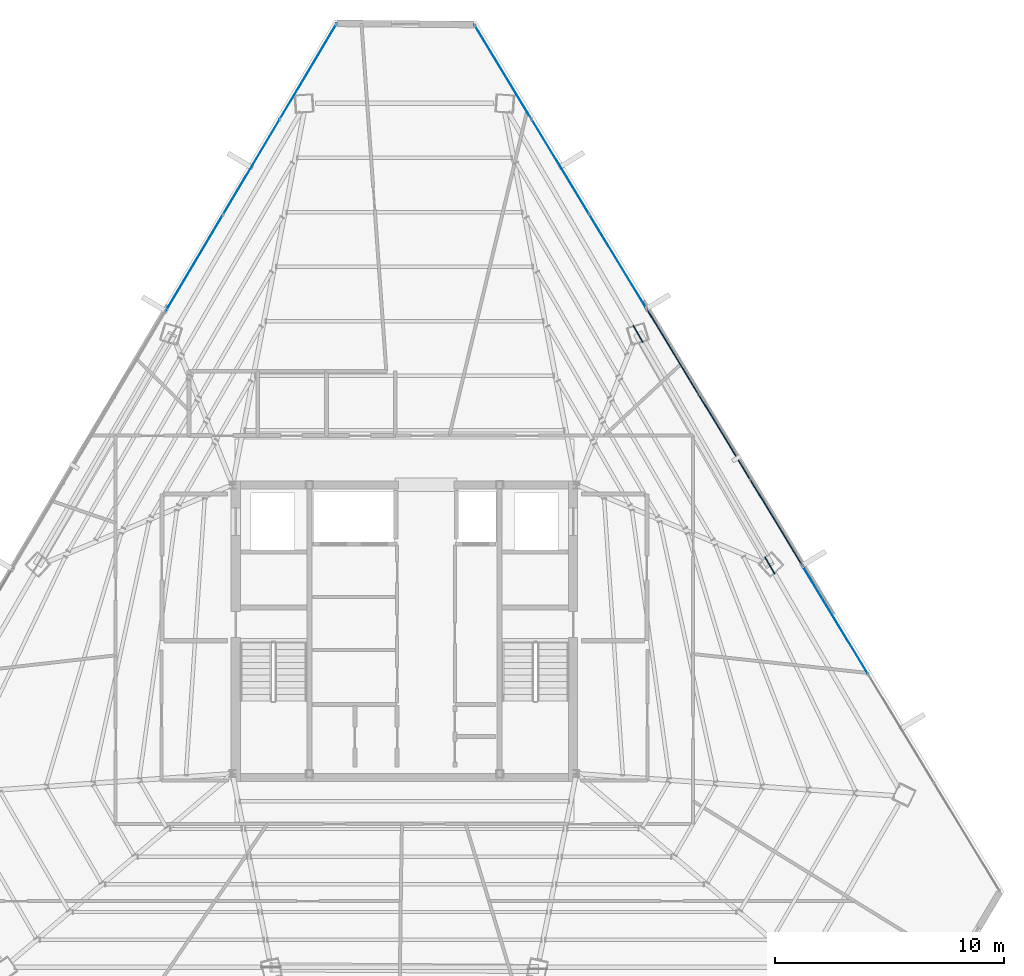
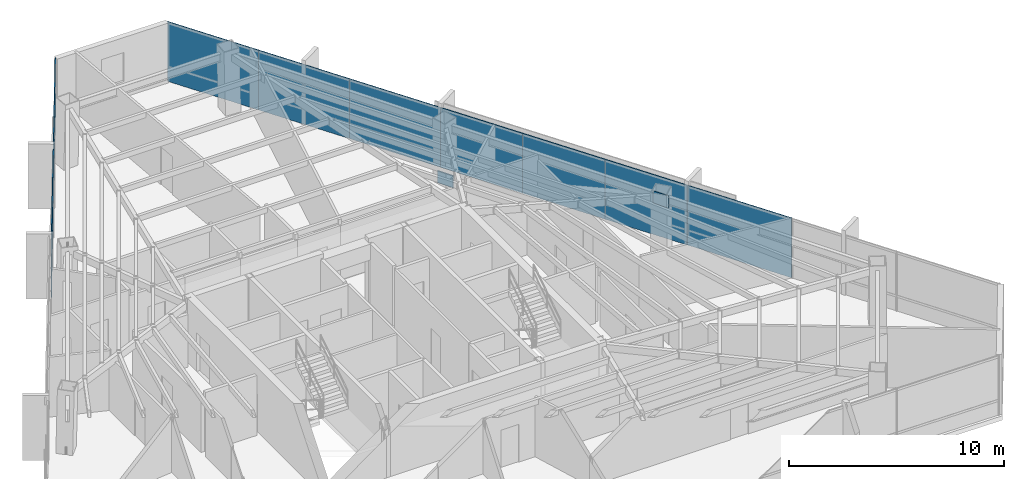
# One storey, part 39 of 49: 12 plates, 4 elements without a shape of their own.
"""IFC4 building model written with IfcOpenShell, lengths in metres."""

from ifc_helpers import new_model, si_unit, direction, frame, origin, origin_2d, place, context, subcontext, project, spatial, rectangle, extrude, source, transform, mapped, material, layer, layer_set, type_object, type_shapes, element, aggregate, save


model = new_model("IFC4")

# Units and contexts
model_context = context("Model", 3, precision=1e-05, world=origin(), true_north=direction((0.0, 1.0)))
body_context = subcontext(model_context, "Body", "Model", "MODEL_VIEW")
ifc_project = project(units=[si_unit("LENGTHUNIT", "METRE"), si_unit("AREAUNIT", "SQUARE_METRE"), si_unit("VOLUMEUNIT", "CUBIC_METRE"), si_unit("PLANEANGLEUNIT", "RADIAN"), si_unit("MASSUNIT", "GRAM", prefix="KILO")], contexts=[model_context])

# Site, building, storey
site_placement = place(None, origin())
site = spatial("IfcSite", under=ifc_project, at=site_placement, CompositionType="ELEMENT")
building_placement = place(site_placement, origin())
building = spatial("IfcBuilding", under=site, at=building_placement, Name="Caelisora Broadcast Tower", CompositionType="ELEMENT")
storey_placement = place(building_placement, frame((0.0, 0.0, 233.5)))
storey = spatial("IfcBuildingStorey", under=building, at=storey_placement, Name="L61", CompositionType="ELEMENT", Elevation=233.5)

# Plates
ifc_material_1 = material(Name="Steel Grade 350 L15 (AS/NZS 3678)", Category="steel")
ifc_layer_1 = layer(ifc_material_1, 0.0400390625, Name="Steel Grade 350 L15 (AS/NZS 3678)")
ifc_layer_set_1 = layer_set([ifc_layer_1], Name="Steel Grade 350 L15 (AS/NZS 3678)")
plate_type_1 = type_object("IfcPlateType", Name="GP04", PredefinedType="USERDEFINED", material=ifc_layer_set_1)
shared_shape_1 = source(origin(), body_context, "Body", "SweptSolid", [
    extrude(rectangle(XDim=0.85009765625, YDim=0.0400390625, at=origin_2d()), origin(), (0.0, 0.0, 1.0), 0.699951171875),
])
type_shapes(plate_type_1, [shared_shape_1])
for number, where, z_axis, x_axis, name in (
    (1, (53.942138671875, 26.486083984375, 2.72998046875), (0.0, 0.0, 1.0), (-0.5, 0.866025403784, 0.0), "L61 gusset plate GP04 (ND-L61-C10T)"),
    (2, (48.19482421875, 36.585205078125, -0.22998046875), (0.0, 0.0, 1.0), (-0.5, 0.866025403784, 0.0), "L61 gusset plate GP04 (ND-L61-C11B)"),
):
    element("IfcPlate", number, at=place(storey_placement, frame(where, z_axis=z_axis, x_axis=x_axis)), inside=storey, type_object=plate_type_1, Name=name, ObjectType="GUSSET PLATE", PredefinedType="USERDEFINED", context=body_context, shape_type="MappedRepresentation", body=[
        mapped(shared_shape_1, transform((0.0, 0.0, 0.0), scale=1.0)),
    ])

# Curtain wall, plates
ifc_material_2 = material(Name="Unitised Aluminium and Low-E Glass Curtain Wall", Category="glass")
curtain_wall_type_1 = type_object("IfcCurtainWallType", Name="CW-Z5", PredefinedType="NOTDEFINED", material=ifc_material_2)
curtain_wall_1_placement = place(storey_placement, origin())
curtain_wall_1 = element("IfcCurtainWall", 3, at=curtain_wall_1_placement, inside=storey, type_object=curtain_wall_type_1, Name="L61 curtain wall CW-Z5", PredefinedType="NOTDEFINED")
ifc_material_3 = material(Name="Double Glazed Low-E Argon IGU", Category="glass")
ifc_layer_2 = layer(ifc_material_3, 0.028076171875, Name="Double Glazed Low-E Argon IGU")
ifc_layer_set_2 = layer_set([ifc_layer_2], Name="Double Glazed Low-E Argon IGU")
plate_type_2 = type_object("IfcPlateType", Name="CWP-06", PredefinedType="CURTAIN_PANEL", material=ifc_layer_set_2)
shared_shape_2 = source(origin(), body_context, "Body", "SweptSolid", [
    extrude(rectangle(XDim=4.828857421875, YDim=0.028076171875, at=origin_2d()), origin(), (0.0, 0.0, 1.0), 3.39990234375),
])
plate_1_placement = place(storey_placement, frame((42.30078125, 48.012451171875, 0.0), z_axis=(0.0, 0.0, 1.0), x_axis=(0.518474806022, -0.855092904614, 0.0)))
plate_1 = element("IfcPlate", 4, at=plate_1_placement, type_object=plate_type_2, Name="L61-CW-B01 glazed panel #1", PredefinedType="CURTAIN_PANEL", context=body_context, shape_type="MappedRepresentation", body=[
    mapped(shared_shape_2, transform((0.0, 0.0, 0.0), scale=1.0)),
])
plate_2_placement = place(storey_placement, frame((44.8046875, 43.883544921875, 0.0), z_axis=(0.0, 0.0, 1.0), x_axis=(0.518474806022, -0.855092904614, 0.0)))
plate_2 = element("IfcPlate", 5, at=plate_2_placement, type_object=plate_type_2, Name="L61-CW-B01 glazed panel #2", PredefinedType="CURTAIN_PANEL", context=body_context, shape_type="MappedRepresentation", body=[
    mapped(shared_shape_2, transform((0.0, 0.0, 0.0), scale=1.0)),
])
plate_3_placement = place(storey_placement, frame((47.30859375, 39.75439453125, 0.0), z_axis=(0.0, 0.0, 1.0), x_axis=(0.518474806022, -0.855092904614, 0.0)))
plate_3 = element("IfcPlate", 6, at=plate_3_placement, type_object=plate_type_2, Name="L61-CW-B01 glazed panel #3", PredefinedType="CURTAIN_PANEL", context=body_context, shape_type="MappedRepresentation", body=[
    mapped(shared_shape_2, transform((0.0, 0.0, 0.0), scale=1.0)),
])
aggregate(curtain_wall_1, [plate_1, plate_2, plate_3])

ifc_material_4 = material(Name="Unitised Aluminium Insulated Shadow-Box Spandrel Curtain Wall", Category="aluminium")
curtain_wall_type_2 = type_object("IfcCurtainWallType", Name="CW-SP3", PredefinedType="NOTDEFINED", material=ifc_material_4)
curtain_wall_2_placement = place(storey_placement, origin())
curtain_wall_2 = element("IfcCurtainWall", 7, at=curtain_wall_2_placement, inside=storey, type_object=curtain_wall_type_2, Name="L61 curtain wall CW-SP3", PredefinedType="NOTDEFINED")
ifc_material_5 = material(Name="Insulated Terracotta Shadow-Box Spandrel Panel", Category="aluminium")
ifc_layer_3 = layer(ifc_material_5, 0.0439453125, Name="Insulated Terracotta Shadow-Box Spandrel Panel")
ifc_layer_set_3 = layer_set([ifc_layer_3], Name="Insulated Terracotta Shadow-Box Spandrel Panel")
plate_type_3 = type_object("IfcPlateType", Name="CWP-10", PredefinedType="CURTAIN_PANEL", material=ifc_layer_set_3)
shared_shape_3 = source(origin(), body_context, "Body", "SweptSolid", [
    extrude(rectangle(XDim=4.363525390625, YDim=0.0439453125, at=origin_2d()), origin(), (0.0, 0.0, 1.0), 3.39990234375),
])
type_shapes(plate_type_3, [shared_shape_3])
plate_4_placement = place(storey_placement, frame((49.697021484375, 35.81591796875, 0.0), z_axis=(0.0, 0.0, 1.0), x_axis=(0.518474806022, -0.855092904614, 0.0)))
plate_4 = element("IfcPlate", 8, at=plate_4_placement, type_object=plate_type_3, Name="L61-CW-B02 spandrel panel #1", PredefinedType="CURTAIN_PANEL", context=body_context, shape_type="MappedRepresentation", body=[
    mapped(shared_shape_3, transform((0.0, 0.0, 0.0), scale=1.0)),
])
plate_5_placement = place(storey_placement, frame((51.95947265625, 32.084716796875, 0.0), z_axis=(0.0, 0.0, 1.0), x_axis=(0.518474806022, -0.855092904614, 0.0)))
plate_5 = element("IfcPlate", 9, at=plate_5_placement, type_object=plate_type_3, Name="L61-CW-B02 spandrel panel #2", PredefinedType="CURTAIN_PANEL", context=body_context, shape_type="MappedRepresentation", body=[
    mapped(shared_shape_3, transform((0.0, 0.0, 0.0), scale=1.0)),
])
plate_6_placement = place(storey_placement, frame((54.22216796875, 28.353515625, 0.0), z_axis=(0.0, 0.0, 1.0), x_axis=(0.518474806022, -0.855092904614, 0.0)))
plate_6 = element("IfcPlate", 10, at=plate_6_placement, type_object=plate_type_3, Name="L61-CW-B02 spandrel panel #3", PredefinedType="CURTAIN_PANEL", context=body_context, shape_type="MappedRepresentation", body=[
    mapped(shared_shape_3, transform((0.0, 0.0, 0.0), scale=1.0)),
])
aggregate(curtain_wall_2, [plate_4, plate_5, plate_6])

# Curtain wall, plate
curtain_wall_3_placement = place(storey_placement, origin())
curtain_wall_3 = element("IfcCurtainWall", 11, at=curtain_wall_3_placement, inside=storey, type_object=curtain_wall_type_1, Name="L61 curtain wall CW-Z5", PredefinedType="NOTDEFINED")
shared_shape_4 = source(origin(), body_context, "Body", "SweptSolid", [
    extrude(rectangle(XDim=5.544921875, YDim=0.028076171875, at=origin_2d()), origin(), (0.0, 0.0, 1.0), 3.39990234375),
])
plate_7_placement = place(storey_placement, frame((56.796142578125, 24.1083984375, 0.0), z_axis=(0.0, 0.0, 1.0), x_axis=(0.518474806022, -0.855092904614, 0.0)))
plate_7 = element("IfcPlate", 12, at=plate_7_placement, type_object=plate_type_2, Name="L61-CW-B03 glazed panel #1", PredefinedType="CURTAIN_PANEL", context=body_context, shape_type="MappedRepresentation", body=[
    mapped(shared_shape_4, transform((0.0, 0.0, 0.0), scale=1.0)),
])
aggregate(curtain_wall_3, [plate_7])

# Curtain wall, plates
curtain_wall_4_placement = place(storey_placement, origin())
curtain_wall_4 = element("IfcCurtainWall", 13, at=curtain_wall_4_placement, inside=storey, type_object=curtain_wall_type_1, Name="L61 curtain wall CW-Z5", PredefinedType="NOTDEFINED")
shared_shape_5 = source(origin(), body_context, "Body", "SweptSolid", [
    extrude(rectangle(XDim=4.862548828125, YDim=0.028076171875, at=origin_2d()), origin(), (0.0, 0.0, 1.0), 3.39990234375),
])
type_shapes(plate_type_2, [shared_shape_2, shared_shape_4, shared_shape_5])
plate_8_placement = place(storey_placement, frame((28.835205078125, 39.6796875, 0.0), z_axis=(0.0, 0.0, 1.0), x_axis=(0.510843031866, 0.859674006117, 0.0)))
plate_8 = element("IfcPlate", 14, at=plate_8_placement, type_object=plate_type_2, Name="L61-CW-B11 glazed panel #1", PredefinedType="CURTAIN_PANEL", context=body_context, shape_type="MappedRepresentation", body=[
    mapped(shared_shape_5, transform((0.0, 0.0, 0.0), scale=1.0)),
])
plate_9_placement = place(storey_placement, frame((31.319580078125, 43.85986328125, 0.0), z_axis=(0.0, 0.0, 1.0), x_axis=(0.510843031866, 0.859674006117, 0.0)))
plate_9 = element("IfcPlate", 15, at=plate_9_placement, type_object=plate_type_2, Name="L61-CW-B11 glazed panel #2", PredefinedType="CURTAIN_PANEL", context=body_context, shape_type="MappedRepresentation", body=[
    mapped(shared_shape_5, transform((0.0, 0.0, 0.0), scale=1.0)),
])
plate_10_placement = place(storey_placement, frame((33.803955078125, 48.039794921875, 0.0), z_axis=(0.0, 0.0, 1.0), x_axis=(0.510843031866, 0.859674006117, 0.0)))
plate_10 = element("IfcPlate", 16, at=plate_10_placement, type_object=plate_type_2, Name="L61-CW-B11 glazed panel #3", PredefinedType="CURTAIN_PANEL", context=body_context, shape_type="MappedRepresentation", body=[
    mapped(shared_shape_5, transform((0.0, 0.0, 0.0), scale=1.0)),
])
aggregate(curtain_wall_4, [plate_8, plate_9, plate_10])

save(model, "model.ifc")
